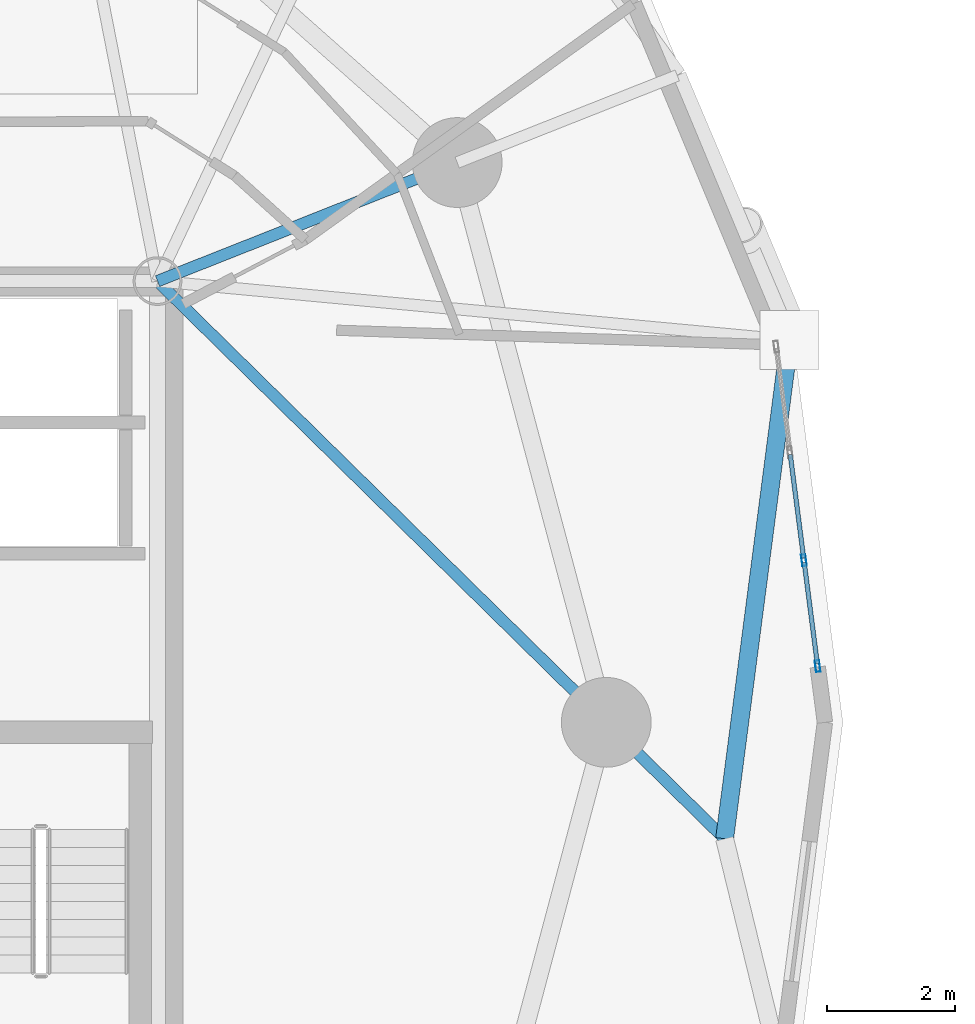
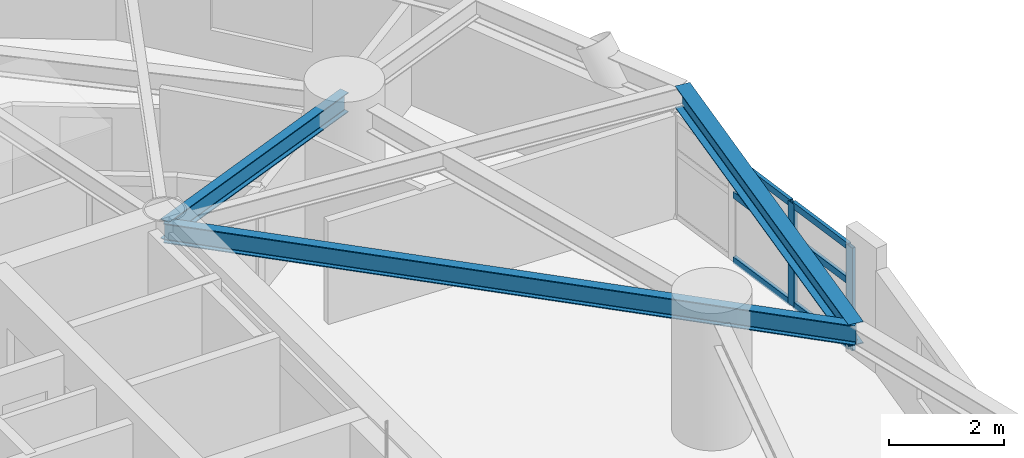
# One storey, part 2 of 18: 8 members, 3 beams, 1 element without a shape of its own.
"""IFC4 building model written with IfcOpenShell, lengths in metres."""

import ifcopenshell
import ifcopenshell.guid

model = None  # the IFC model being written
_history = None  # IfcOwnerHistory: only IFC2X3 demands one
_inside = {}  # id of a spatial element -> (the spatial element, [elements in it])
_under = {}  # id of a project, library or spatial element -> (it, [spatial elements below it])
_declared = {}  # id of a project -> (the project, [libraries it declares])
_typed = {}  # id of a type object -> (the type object, [elements of that type])
_made_of = {}  # id of a material, layer set ... -> (it, [elements and type objects made of it])


def new_model(schema):
    """Start an empty IFC model of exactly this schema.

    Asked for "IFC4X3", IfcOpenShell would pick the latest addendum, in which some entities
    have other attributes; the version numbers below select the first issue.
    IFC2X3 requires an IfcOwnerHistory on every rooted entity: one is made here for all.
    """
    global model, _history
    if schema == "IFC4X3":
        model = ifcopenshell.file(schema_version=(4, 3, 0, 0))
    else:
        model = ifcopenshell.file(schema=schema)
    _inside.clear()
    _under.clear()
    _declared.clear()
    _typed.clear()
    _made_of.clear()
    _history = None
    if model.schema == "IFC2X3":
        org = make("IfcOrganization", Name="unknown")
        user = make(
            "IfcPersonAndOrganization",
            ThePerson=make("IfcPerson", FamilyName="unknown"),
            TheOrganization=org,
        )
        app = make(
            "IfcApplication",
            ApplicationDeveloper=org,
            Version="unknown",
            ApplicationFullName="unknown",
            ApplicationIdentifier="unknown",
        )
        _history = make(
            "IfcOwnerHistory",
            OwningUser=user,
            OwningApplication=app,
            ChangeAction="ADDED",
            CreationDate=0,
        )
    return model


def make(cls, **values):
    """One entity of the class cls with the attributes given. An attribute that is None is left unset."""
    return model.create_entity(
        cls, **{name: value for name, value in values.items() if value is not None}
    )


def rooted(cls, **values):
    """An entity with a GlobalId (a new one), such as an element, a storey or a relation."""
    return make(cls, GlobalId=ifcopenshell.guid.new(), OwnerHistory=_history, **values)


def si_unit(unit_type, name, prefix=None):
    """IfcSIUnit, for example si_unit("LENGTHUNIT", "METRE", prefix="MILLI")."""
    return make("IfcSIUnit", UnitType=unit_type, Prefix=prefix, Name=name)


def assignment(units):
    """IfcUnitAssignment: the units of a project."""
    return None if units is None else make("IfcUnitAssignment", Units=units)


def point(xyz):
    """IfcCartesianPoint."""
    return None if xyz is None else make("IfcCartesianPoint", Coordinates=xyz)


def direction(xyz):
    """IfcDirection."""
    return None if xyz is None else make("IfcDirection", DirectionRatios=xyz)


def frame(location, z_axis=None, x_axis=None):
    """IfcAxis2Placement3D, a coordinate frame: its origin and axes. An axis left out is left unset."""
    return make(
        "IfcAxis2Placement3D",
        Location=point(location),
        Axis=direction(z_axis),
        RefDirection=direction(x_axis),
    )


def frame_2d(location, x_axis=None):
    """IfcAxis2Placement2D, a coordinate frame in the plane: its origin and x axis."""
    return make(
        "IfcAxis2Placement2D", Location=point(location), RefDirection=direction(x_axis)
    )


def origin():
    """The frame at (0, 0, 0) with its axes left unset."""
    return frame((0.0, 0.0, 0.0))


def origin_2d():
    """The frame at (0, 0) in the plane with its x axis left unset."""
    return frame_2d((0.0, 0.0))


def place(relative_to, where):
    """IfcLocalPlacement: puts the frame where relative to a parent placement (None: the world)."""
    return make(
        "IfcLocalPlacement", PlacementRelTo=relative_to, RelativePlacement=where
    )


def context(
    kind, dimensions, precision=None, world=None, true_north=None, identifier=None
):
    """IfcGeometricRepresentationContext, for example the 3D "Model" context."""
    return make(
        "IfcGeometricRepresentationContext",
        ContextIdentifier=identifier,
        ContextType=kind,
        CoordinateSpaceDimension=dimensions,
        Precision=precision,
        WorldCoordinateSystem=world,
        TrueNorth=true_north,
    )


def subcontext(parent, identifier, kind, view, scale=None):
    """IfcGeometricRepresentationSubContext, for example "Body" below "Model"."""
    return make(
        "IfcGeometricRepresentationSubContext",
        ContextIdentifier=identifier,
        ContextType=kind,
        ParentContext=parent,
        TargetScale=scale,
        TargetView=view,
    )


def project(units=None, contexts=None):
    """IfcProject with its units and contexts."""
    return rooted(
        "IfcProject",
        Name="project",
        RepresentationContexts=contexts,
        UnitsInContext=assignment(units),
    )


def spatial(cls, under=None, at=None, **own):
    """A site, building, storey or space (cls), placed at a placement, below another one or the project."""
    s = rooted(cls, ObjectPlacement=at, **own)
    if under is not None:
        _under.setdefault(under.id(), (under, []))[1].append(s)
    return s


def profile(cls, at=None, kind="AREA", **sizes):
    """A parametric profile (cls). Its sizes go by their IFC names, for example OverallWidth=200.0."""
    return make(cls, ProfileType=kind, Position=at, **sizes)


def hollow_rectangle(**sizes):
    """IfcRectangleHollowProfileDef."""
    return profile("IfcRectangleHollowProfileDef", **sizes)


def i_section(**sizes):
    """IfcIShapeProfileDef."""
    return profile("IfcIShapeProfileDef", **sizes)


def extrude(swept, where, along, depth):
    """IfcExtrudedAreaSolid: the profile swept, set in the frame where, extruded along a direction by depth."""
    return make(
        "IfcExtrudedAreaSolid",
        SweptArea=swept,
        Position=where,
        ExtrudedDirection=direction(along),
        Depth=depth,
    )


def shape(context_of_items, identifier, shape_type, items):
    """IfcShapeRepresentation: the items that make up one representation, for example the "Body"."""
    return make(
        "IfcShapeRepresentation",
        ContextOfItems=context_of_items,
        RepresentationIdentifier=identifier,
        RepresentationType=shape_type,
        Items=items,
    )


def material(Name=None, Category=None):
    """IfcMaterial."""
    return make("IfcMaterial", Name=Name, Category=Category)


def layer(
    of_material, thickness, ventilated=None, Name=None, Category=None, Priority=None
):
    """IfcMaterialLayer: one layer of a wall or slab, of a material (None: an air gap)."""
    return make(
        "IfcMaterialLayer",
        Material=of_material,
        LayerThickness=thickness,
        IsVentilated=ventilated,
        Name=Name,
        Category=Category,
        Priority=Priority,
    )


def layer_set(layers, Name=None):
    """IfcMaterialLayerSet."""
    return make("IfcMaterialLayerSet", MaterialLayers=layers, LayerSetName=Name)


def material_profile(
    of_material, cross_section, Name=None, Category=None, Priority=None
):
    """IfcMaterialProfile: a cross section and its material."""
    return make(
        "IfcMaterialProfile",
        Name=Name,
        Material=of_material,
        Profile=cross_section,
        Priority=Priority,
        Category=Category,
    )


def profile_set(profiles, Name=None, composite=None):
    """IfcMaterialProfileSet."""
    return make(
        "IfcMaterialProfileSet",
        Name=Name,
        MaterialProfiles=profiles,
        CompositeProfile=composite,
    )


def made_of(thing, what):
    """Note that an element or type object is made of a material, layer set ...; save() writes the relation."""
    if what is not None:
        _made_of.setdefault(what.id(), (what, []))[1].append(thing)
    return thing


def type_object(cls, material=None, **own):
    """A type object (cls), such as IfcWallType, which elements share."""
    return made_of(rooted(cls, **own), material)


def element(
    cls,
    number,
    at=None,
    inside=None,
    cuts=None,
    type_object=None,
    material=None,
    context=None,
    identifier="Body",
    shape_type=None,
    held_by="IfcProductDefinitionShape",
    body=None,
    shapes=None,
    **own,
):
    """One element of the class cls, such as IfcWall. Its Tag is "e" and its number.

    at: its placement. inside: the storey or other place that contains it. cuts: it is an
    opening in that element (IfcRelVoidsElement). A single representation is given by context,
    identifier, shape_type and body (its items); several are given by shapes. held_by: the class
    of the entity that holds the representations. save() writes the other relations.
    """
    e = rooted(cls, Tag="e%d" % number, ObjectPlacement=at, **own)
    if body is not None:
        shapes = [shape(context, identifier, shape_type, body)]
    if shapes is not None:
        e.Representation = make(held_by, Representations=shapes)
    if inside is not None:
        _inside.setdefault(inside.id(), (inside, []))[1].append(e)
    if cuts is not None:
        rooted(
            "IfcRelVoidsElement", RelatingBuildingElement=cuts, RelatedOpeningElement=e
        )
    if type_object is not None:
        _typed.setdefault(type_object.id(), (type_object, []))[1].append(e)
    return made_of(e, material)


def aggregate(whole, parts):
    """IfcRelAggregates: a whole, such as a stair, and the parts it consists of."""
    return rooted("IfcRelAggregates", RelatingObject=whole, RelatedObjects=parts)


def save(model, path):
    """Write the relations noted so far, then the file.

    IfcRelAggregates (storeys below a building ...), IfcRelContainedInSpatialStructure (elements
    in a storey), IfcRelDefinesByType, IfcRelAssociatesMaterial and IfcRelDeclares: one each for
    every whole, place, type object, material and project.
    """
    for whole, parts in _under.values():
        aggregate(whole, parts)
    for where, things in _inside.values():
        rooted(
            "IfcRelContainedInSpatialStructure",
            RelatedElements=things,
            RelatingStructure=where,
        )
    for kind, things in _typed.values():
        rooted("IfcRelDefinesByType", RelatedObjects=things, RelatingType=kind)
    for what, things in _made_of.values():
        rooted("IfcRelAssociatesMaterial", RelatedObjects=things, RelatingMaterial=what)
    for by, libraries in _declared.values():
        rooted("IfcRelDeclares", RelatingContext=by, RelatedDefinitions=libraries)
    model.write(path)


model = new_model("IFC4")

# Units and contexts
model_context = context("Model", 3, precision=1e-05, world=origin(), true_north=direction((0.0, 1.0)))
body_context = subcontext(model_context, "Body", "Model", "MODEL_VIEW")
ifc_project = project(units=[si_unit("LENGTHUNIT", "METRE"), si_unit("AREAUNIT", "SQUARE_METRE"), si_unit("VOLUMEUNIT", "CUBIC_METRE"), si_unit("PLANEANGLEUNIT", "RADIAN"), si_unit("MASSUNIT", "GRAM", prefix="KILO")], contexts=[model_context])

# Site, building, storey
site_placement = place(None, origin())
site = spatial("IfcSite", under=ifc_project, at=site_placement, CompositionType="ELEMENT")
building_placement = place(site_placement, origin())
building = spatial("IfcBuilding", under=site, at=building_placement, Name="Cununo Teusaquillo Station Towers", CompositionType="ELEMENT")
storey_placement = place(building_placement, frame((0.0, 0.0, 110.889892578125)))
storey = spatial("IfcBuildingStorey", under=building, at=storey_placement, Name="L35", CompositionType="ELEMENT", Elevation=110.889892578125)

# Beams
ifc_material_1 = material(Name="Steel ASTM A572 Grade 50", Category="steel")
ifc_material_profile_1 = material_profile(ifc_material_1, i_section(OverallWidth=0.180908203125, OverallDepth=0.4169921875, WebThickness=0.010986328125, FlangeThickness=0.018310546875, FilletRadius=0.012939453125, at=origin_2d()), Name="W16X57")
ifc_profile_set_1 = profile_set([ifc_material_profile_1], Name="Steel ASTM A572 Grade 50")
beam_type_1 = type_object("IfcBeamType", Name="BM-RAD-G2", PredefinedType="BEAM", material=ifc_profile_set_1)
beam_1_placement = place(storey_placement, frame((21.675048828125, 31.3798828125, 2.461669921875), z_axis=(0.713047137857, -0.701116095375, 0.0), x_axis=(0.701116095375, 0.713047137857, 0.0)))
element("IfcBeam", 1, at=beam_1_placement, inside=storey, type_object=beam_type_1, Name="L35 Tower A Continuous Overhanging Radial Girder 01", PredefinedType="BEAM", context=body_context, shape_type="SweptSolid", body=[
    extrude(i_section(OverallWidth=0.180908203125, OverallDepth=0.4169921875, WebThickness=0.010986328125, FlangeThickness=0.018310546875, FilletRadius=0.012939453125, at=origin_2d()), origin(), (0.0, 0.0, 1.0), 12.400390625),
])
beam_2_placement = place(storey_placement, frame((21.675048828125, 31.3798828125, 2.461669921875), z_axis=(0.929864104313, 0.367903176814, 0.0), x_axis=(-0.367903176814, 0.929864104313, 0.0)))
element("IfcBeam", 2, at=beam_2_placement, inside=storey, type_object=beam_type_1, Name="L35 Tower A Radial Girder 02A", PredefinedType="BEAM", context=body_context, shape_type="SweptSolid", body=[
    extrude(i_section(OverallWidth=0.180908203125, OverallDepth=0.4169921875, WebThickness=0.010986328125, FlangeThickness=0.018310546875, FilletRadius=0.012939453125, at=origin_2d()), origin(), (0.0, 0.0, 1.0), 5.02490234375),
])
ifc_material_2 = material(Name="Steel ASTM A572 Grade 50", Category="steel")
ifc_material_profile_2 = material_profile(ifc_material_2, i_section(OverallWidth=0.280029296875, OverallDepth=0.462890625, WebThickness=0.0107421875, FlangeThickness=0.017333984375, FilletRadius=0.013916015625, at=origin_2d()), Name="W18X76")
ifc_profile_set_2 = profile_set([ifc_material_profile_2], Name="Steel ASTM A572 Grade 50")
beam_type_2 = type_object("IfcBeamType", Name="BM-RING-Z2", PredefinedType="SPANDREL", material=ifc_profile_set_2)
beam_3_placement = place(storey_placement, frame((30.51708984375, 22.685791015625, 2.438720703125), z_axis=(0.12888124113, 0.991660035337, 0.0), x_axis=(-0.991660035337, 0.12888124113, 0.0)))
element("IfcBeam", 3, at=beam_3_placement, inside=storey, type_object=beam_type_2, Name="L35 Tower A Spandrel Ring Beam 01", PredefinedType="SPANDREL", context=body_context, shape_type="SweptSolid", body=[
    extrude(i_section(OverallWidth=0.280029296875, OverallDepth=0.462890625, WebThickness=0.0107421875, FlangeThickness=0.017333984375, FilletRadius=0.013916015625, at=origin_2d()), origin(), (0.0, 0.0, 1.0), 7.840576171875),
])

# Curtain wall, members
ifc_material_3 = material(Name="Ceramic-fritted dark low-E double glazing", Category="glass")
ifc_layer = layer(ifc_material_3, 0.179931640625)
ifc_layer_set = layer_set([ifc_layer], Name="Ceramic-fritted dark low-E double glazing")
curtain_wall_type = type_object("IfcCurtainWallType", Name="CW-SYS-04", PredefinedType="USERDEFINED", material=ifc_layer_set)
curtain_wall_placement = place(storey_placement, origin())
curtain_wall = element("IfcCurtainWall", 4, at=curtain_wall_placement, inside=storey, type_object=curtain_wall_type, Name="L35 Tower A Facade Curtain Wall C00", ObjectType="FRITTED GLAZING", PredefinedType="USERDEFINED")
ifc_material_4 = material(Name="Anodised dark bronze aluminium EN AW-6063-T6", Category="aluminium")
ifc_material_profile_3 = material_profile(ifc_material_4, hollow_rectangle(XDim=0.070068359375, YDim=0.179931640625, WallThickness=0.00390625, at=origin_2d()), Name="CW-MULL-70x180")
ifc_profile_set_3 = profile_set([ifc_material_profile_3], Name="Anodised dark bronze aluminium EN AW-6063-T6")
member_type_1 = type_object("IfcMemberType", Name="CWM-180", PredefinedType="MULLION", material=ifc_profile_set_3)
member_1_placement = place(storey_placement, frame((31.754150390625, 27.0263671875, 0.0), z_axis=(0.0, 0.0, 1.0), x_axis=(0.991730764367, 0.128335852387, 0.0)))
member_1 = element("IfcMember", 5, at=member_1_placement, type_object=member_type_1, Name="CW-04 mullion 3", PredefinedType="MULLION", context=body_context, shape_type="SweptSolid", body=[
    extrude(hollow_rectangle(XDim=0.070068359375, YDim=0.179931640625, WallThickness=0.00390625, at=origin_2d()), origin(), (0.0, 0.0, 1.0), 2.17919921875),
])
member_2_placement = place(storey_placement, frame((31.967529296875, 25.377685546875, 0.0), z_axis=(0.0, 0.0, 1.0), x_axis=(0.991730764367, 0.128335852387, 0.0)))
member_2 = element("IfcMember", 6, at=member_2_placement, type_object=member_type_1, Name="CW-04 mullion 4", PredefinedType="MULLION", context=body_context, shape_type="SweptSolid", body=[
    extrude(hollow_rectangle(XDim=0.070068359375, YDim=0.179931640625, WallThickness=0.00390625, at=origin_2d()), origin(), (0.0, 0.0, 1.0), 2.17919921875),
])
ifc_material_5 = material(Name="Anodised dark bronze aluminium EN AW-6063-T6", Category="aluminium")
ifc_material_profile_4 = material_profile(ifc_material_5, hollow_rectangle(XDim=0.070068359375, YDim=0.139892578125, WallThickness=0.00390625, at=origin_2d()), Name="CW-TRAN-70x140")
ifc_profile_set_4 = profile_set([ifc_material_profile_4], Name="Anodised dark bronze aluminium EN AW-6063-T6")
member_type_2 = type_object("IfcMemberType", Name="CWT-140", PredefinedType="USERDEFINED", material=ifc_profile_set_4)
member_3_placement = place(storey_placement, frame((31.540771484375, 28.675048828125, 0.03515625), z_axis=(0.128261686134, -0.991740359101, 0.0), x_axis=(0.991740359101, 0.128261686134, 0.0)))
member_3 = element("IfcMember", 7, at=member_3_placement, type_object=member_type_2, Name="CW-04 transom 2.1", ObjectType="TRANSOM", PredefinedType="USERDEFINED", context=body_context, shape_type="SweptSolid", body=[
    extrude(hollow_rectangle(XDim=0.070068359375, YDim=0.139892578125, WallThickness=0.00390625, at=origin_2d()), origin(), (0.0, 0.0, 1.0), 1.62744140625),
])
member_4_placement = place(storey_placement, frame((31.540771484375, 28.675048828125, 1.416015625), z_axis=(0.128261686134, -0.991740359101, 0.0), x_axis=(0.991740359101, 0.128261686134, 0.0)))
member_4 = element("IfcMember", 8, at=member_4_placement, type_object=member_type_2, Name="CW-04 transom 2.2", ObjectType="TRANSOM", PredefinedType="USERDEFINED", context=body_context, shape_type="SweptSolid", body=[
    extrude(hollow_rectangle(XDim=0.070068359375, YDim=0.139892578125, WallThickness=0.00390625, at=origin_2d()), origin(), (0.0, 0.0, 1.0), 1.62744140625),
])
member_5_placement = place(storey_placement, frame((31.540771484375, 28.675048828125, 2.14404296875), z_axis=(0.128261686134, -0.991740359101, 0.0), x_axis=(0.991740359101, 0.128261686134, 0.0)))
member_5 = element("IfcMember", 9, at=member_5_placement, type_object=member_type_2, Name="CW-04 transom 2.3", ObjectType="TRANSOM", PredefinedType="USERDEFINED", context=body_context, shape_type="SweptSolid", body=[
    extrude(hollow_rectangle(XDim=0.070068359375, YDim=0.139892578125, WallThickness=0.00390625, at=origin_2d()), origin(), (0.0, 0.0, 1.0), 1.62744140625),
])
member_6_placement = place(storey_placement, frame((31.758544921875, 26.99169921875, 0.03515625), z_axis=(0.128316698748, -0.991733242774, 0.0), x_axis=(0.991733242774, 0.128316698748, 0.0)))
member_6 = element("IfcMember", 10, at=member_6_placement, type_object=member_type_2, Name="CW-04 transom 3.1", ObjectType="TRANSOM", PredefinedType="USERDEFINED", context=body_context, shape_type="SweptSolid", body=[
    extrude(hollow_rectangle(XDim=0.070068359375, YDim=0.139892578125, WallThickness=0.00390625, at=origin_2d()), origin(), (0.0, 0.0, 1.0), 1.592529296875),
])
member_7_placement = place(storey_placement, frame((31.758544921875, 26.99169921875, 1.416015625), z_axis=(0.128316698748, -0.991733242774, 0.0), x_axis=(0.991733242774, 0.128316698748, 0.0)))
member_7 = element("IfcMember", 11, at=member_7_placement, type_object=member_type_2, Name="CW-04 transom 3.2", ObjectType="TRANSOM", PredefinedType="USERDEFINED", context=body_context, shape_type="SweptSolid", body=[
    extrude(hollow_rectangle(XDim=0.070068359375, YDim=0.139892578125, WallThickness=0.00390625, at=origin_2d()), origin(), (0.0, 0.0, 1.0), 1.592529296875),
])
member_8_placement = place(storey_placement, frame((31.758544921875, 26.99169921875, 2.14404296875), z_axis=(0.128316698748, -0.991733242774, 0.0), x_axis=(0.991733242774, 0.128316698748, 0.0)))
member_8 = element("IfcMember", 12, at=member_8_placement, type_object=member_type_2, Name="CW-04 transom 3.3", ObjectType="TRANSOM", PredefinedType="USERDEFINED", context=body_context, shape_type="SweptSolid", body=[
    extrude(hollow_rectangle(XDim=0.070068359375, YDim=0.139892578125, WallThickness=0.00390625, at=origin_2d()), origin(), (0.0, 0.0, 1.0), 1.592529296875),
])
aggregate(curtain_wall, [member_1, member_2, member_3, member_4, member_5, member_6, member_7, member_8])

save(model, "model.ifc")
